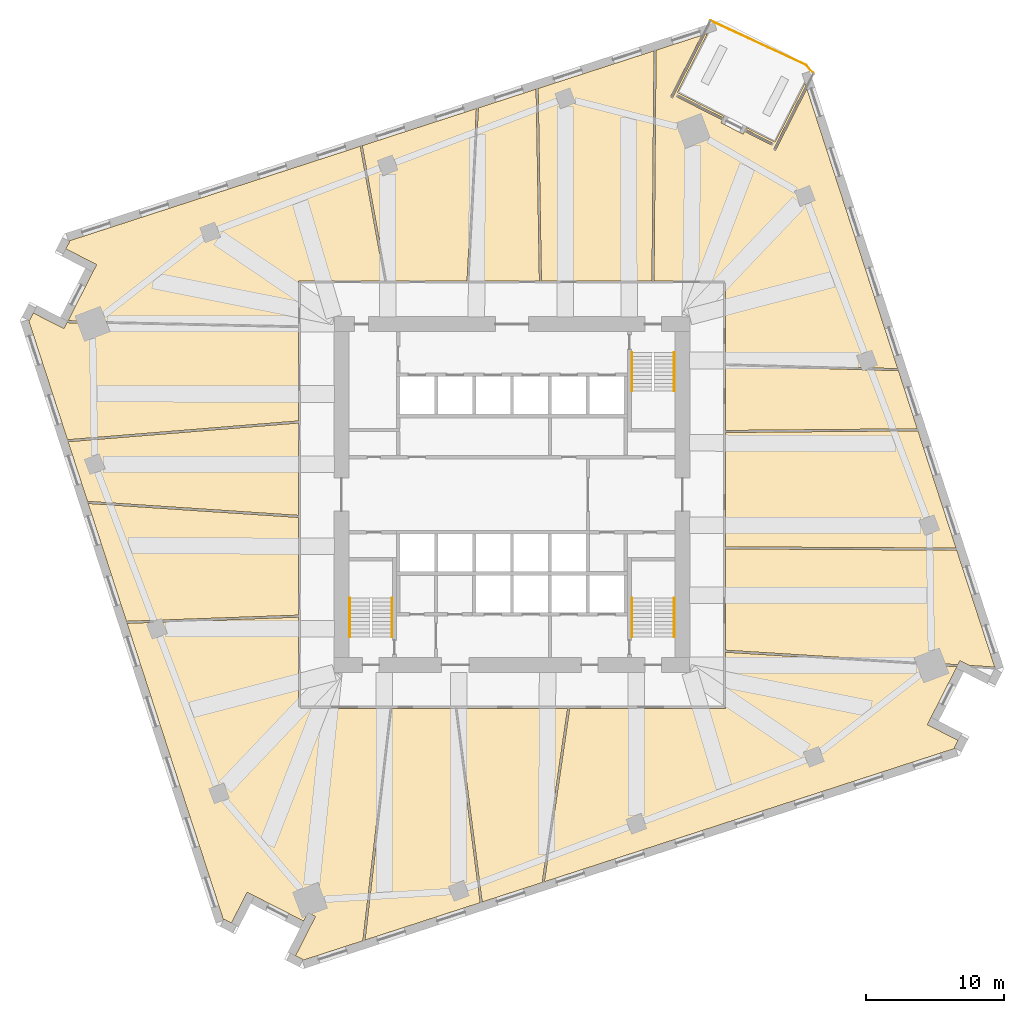
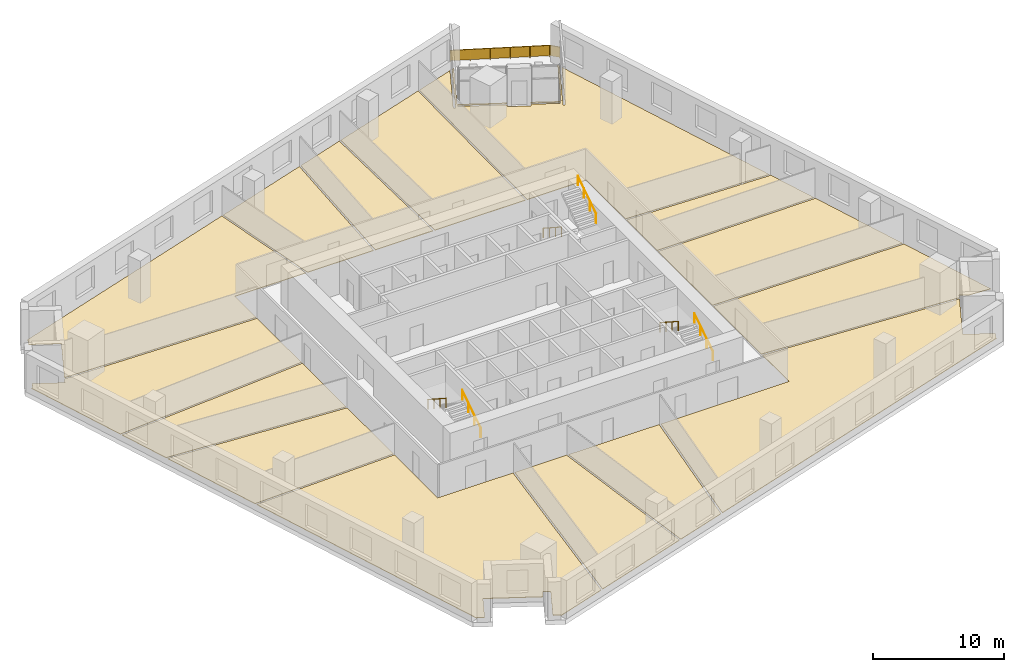
# One storey, part 11 of 12: 15 coverings, 7 railings.
"""IFC4 building model written with IfcOpenShell, lengths in metres."""

from ifc_helpers import new_model, si_unit, direction, frame, origin, origin_2d, place, context, subcontext, project, spatial, polyline, rectangle, circle, outline, extrude, material, layer, layer_set, type_object, element, save


model = new_model("IFC4")

# Units and contexts
model_context = context("Model", 3, precision=1e-05, world=origin(), true_north=direction((0.0, 1.0)))
body_context = subcontext(model_context, "Body", "Model", "MODEL_VIEW")
ifc_project = project(units=[si_unit("LENGTHUNIT", "METRE"), si_unit("AREAUNIT", "SQUARE_METRE"), si_unit("VOLUMEUNIT", "CUBIC_METRE"), si_unit("PLANEANGLEUNIT", "RADIAN"), si_unit("MASSUNIT", "GRAM", prefix="KILO")], contexts=[model_context])

# Site, building, storey
site_placement = place(None, origin())
site = spatial("IfcSite", under=ifc_project, at=site_placement, CompositionType="ELEMENT")
building_placement = place(site_placement, origin())
building = spatial("IfcBuilding", under=site, at=building_placement, Name="Dilmun Exchange Tower", CompositionType="ELEMENT")
storey_placement = place(building_placement, frame((0.0, 0.0, 90.10009765625)))
storey = spatial("IfcBuildingStorey", under=building, at=storey_placement, Name="L20", CompositionType="ELEMENT", Elevation=90.10009765625)

# Coverings
ifc_material_1 = material(Name="Carpet floor finish 50")
ifc_layer_1 = layer(ifc_material_1, 0.050048828125)
ifc_layer_set_1 = layer_set([ifc_layer_1], Name="Carpet floor finish 50")
covering_type_1 = type_object("IfcCoveringType", Name="Carpet floor finish 50", PredefinedType="FLOORING", material=ifc_layer_set_1)
covering_1_placement = place(storey_placement, origin())
element("IfcCovering", 1, at=covering_1_placement, inside=storey, type_object=covering_type_1, Name="Carpet floor finish 50 Open office 1", PredefinedType="FLOORING", context=body_context, shape_type="SweptSolid", body=[
    extrude(outline(polyline([(-15.47509765625, 12.090087890625), (-15.47509765625, 5.339599609375), (-32.203125, 3.977294921875), (-35.021484375, 12.650634765625), (-34.958251953125, 12.618408203125), (-34.9580078125, 12.618408203125), (-34.957763671875, 12.618408203125), (-34.95751953125, 12.618408203125), (-34.95751953125, 12.618408203125), (-34.957275390625, 12.618408203125), (-34.95703125, 12.618408203125), (-34.956787109375, 12.618408203125), (-34.956787109375, 12.618408203125), (-34.95654296875, 12.618408203125), (-34.956298828125, 12.61865234375), (-34.956298828125, 12.61865234375), (-34.9560546875, 12.618896484375), (-34.955810546875, 12.618896484375), (-34.955810546875, 12.619140625), (-34.95556640625, 12.619140625), (-34.95556640625, 12.619384765625), (-34.678955078125, 13.162353515625), (-32.453125, 12.0283203125), (-32.452880859375, 12.028076171875), (-32.45263671875, 12.028076171875), (-32.452392578125, 12.028076171875), (-32.452392578125, 12.028076171875), (-32.4521484375, 12.028076171875), (-32.451904296875, 12.028076171875), (-32.451904296875, 12.028076171875), (-32.45166015625, 12.028076171875), (-32.451416015625, 12.0283203125), (-32.451171875, 12.0283203125), (-32.451171875, 12.0283203125), (-32.450927734375, 12.028564453125), (-32.45068359375, 12.028564453125), (-32.45068359375, 12.02880859375), (-32.450439453125, 12.02880859375), (-32.450439453125, 12.029052734375), (-32.233642578125, 12.45458984375), (-15.47509765625, 12.090087890625)])), origin(), (0.0, 0.0, 1.0), 0.0498046875),
])
covering_2_placement = place(storey_placement, origin())
element("IfcCovering", 2, at=covering_2_placement, inside=storey, type_object=covering_type_1, Name="Carpet floor finish 50 Meeting room 1", PredefinedType="FLOORING", context=body_context, shape_type="SweptSolid", body=[
    extrude(outline(polyline([(-15.47509765625, -1.5), (-30.752685546875, -0.486572265625), (-32.155517578125, 3.83056640625), (-15.47509765625, 5.18896484375), (-15.47509765625, -1.5)])), origin(), (0.0, 0.0, 1.0), 0.0498046875),
])
covering_3_placement = place(storey_placement, origin())
element("IfcCovering", 3, at=covering_3_placement, inside=storey, type_object=covering_type_1, Name="Carpet floor finish 50 Advisory office", PredefinedType="FLOORING", context=body_context, shape_type="SweptSolid", body=[
    extrude(outline(polyline([(-15.47509765625, -8.725830078125), (-27.93017578125, -9.174072265625), (-30.702880859375, -0.64013671875), (-15.47509765625, -1.650390625), (-15.47509765625, -8.725830078125)])), origin(), (0.0, 0.0, 1.0), 0.0498046875),
])
covering_4_placement = place(storey_placement, origin())
element("IfcCovering", 4, at=covering_4_placement, inside=storey, type_object=covering_type_1, Name="Carpet floor finish 50 Open office 2", PredefinedType="FLOORING", context=body_context, shape_type="SweptSolid", body=[
    extrude(outline(polyline([(-9.2275390625, 15.47509765625), (-15.47509765625, 15.47509765625), (-15.47509765625, 12.239990234375), (-32.157958984375, 12.60302734375), (-30.362060546875, 16.127685546875), (-30.362060546875, 16.127685546875), (-30.089599609375, 16.662353515625), (-30.089599609375, 16.66259765625), (-30.089599609375, 16.66259765625), (-30.089599609375, 16.662841796875), (-30.089599609375, 16.6630859375), (-30.089599609375, 16.6630859375), (-30.089599609375, 16.663330078125), (-30.089599609375, 16.66357421875), (-30.089599609375, 16.663818359375), (-30.089599609375, 16.6640625), (-30.08984375, 16.664306640625), (-30.08984375, 16.664306640625), (-30.090087890625, 16.66455078125), (-30.090087890625, 16.66455078125), (-30.09033203125, 16.664794921875), (-30.09033203125, 16.664794921875), (-30.090576171875, 16.6650390625), (-32.31640625, 17.799072265625), (-32.039794921875, 18.341796875), (-32.03955078125, 18.342041015625), (-32.03955078125, 18.34228515625), (-32.03955078125, 18.34228515625), (-32.03955078125, 18.342529296875), (-32.03955078125, 18.3427734375), (-32.03955078125, 18.343017578125), (-32.03955078125, 18.34326171875), (-32.03955078125, 18.343505859375), (-32.039794921875, 18.343505859375), (-32.039794921875, 18.34375), (-32.039794921875, 18.343994140625), (-32.0400390625, 18.343994140625), (-32.0400390625, 18.34423828125), (-32.040283203125, 18.344482421875), (-32.040283203125, 18.344482421875), (-32.04052734375, 18.344482421875), (-32.103759765625, 18.376708984375), (-10.9951171875, 25.2353515625), (-9.2275390625, 15.47509765625)])), origin(), (0.0, 0.0, 1.0), 0.0498046875),
])
covering_5_placement = place(storey_placement, origin())
element("IfcCovering", 5, at=covering_5_placement, inside=storey, type_object=covering_type_1, Name="Carpet floor finish 50 Open office 3", PredefinedType="FLOORING", context=body_context, shape_type="SweptSolid", body=[
    extrude(outline(polyline([(-15.47509765625, -8.8759765625), (-15.47509765625, -15.47509765625), (-8.845703125, -15.47509765625), (-10.8037109375, -32.318115234375), (-15.1708984375, -33.7373046875), (-15.138671875, -33.674072265625), (-15.138671875, -33.673828125), (-15.138671875, -33.673583984375), (-15.138427734375, -33.673583984375), (-15.138427734375, -33.67333984375), (-15.138427734375, -33.673095703125), (-15.138427734375, -33.673095703125), (-15.138427734375, -33.6728515625), (-15.138671875, -33.672607421875), (-15.138671875, -33.67236328125), (-15.138916015625, -33.672119140625), (-15.138916015625, -33.672119140625), (-15.138916015625, -33.671875), (-15.13916015625, -33.671875), (-15.139404296875, -33.671630859375), (-15.139404296875, -33.67138671875), (-15.1396484375, -33.67138671875), (-15.682373046875, -33.394775390625), (-14.237060546875, -30.55810546875), (-14.23681640625, -30.557861328125), (-14.23681640625, -30.5576171875), (-14.23681640625, -30.5576171875), (-14.23681640625, -30.557373046875), (-14.23681640625, -30.55712890625), (-14.23681640625, -30.556884765625), (-14.23681640625, -30.556884765625), (-14.23681640625, -30.556640625), (-14.237060546875, -30.556396484375), (-14.237060546875, -30.55615234375), (-14.2373046875, -30.55615234375), (-14.2373046875, -30.555908203125), (-14.2373046875, -30.555908203125), (-14.237548828125, -30.5556640625), (-14.23779296875, -30.555419921875), (-14.23779296875, -30.555419921875), (-14.7724609375, -30.282958984375), (-14.772705078125, -30.282958984375), (-14.77294921875, -30.282958984375), (-14.77294921875, -30.28271484375), (-14.773193359375, -30.28271484375), (-14.7734375, -30.28271484375), (-14.773681640625, -30.28271484375), (-14.773681640625, -30.28271484375), (-14.77392578125, -30.282958984375), (-14.774169921875, -30.282958984375), (-14.7744140625, -30.283203125), (-14.7744140625, -30.283203125), (-14.774658203125, -30.283203125), (-14.77490234375, -30.283447265625), (-14.77490234375, -30.28369140625), (-14.775146484375, -30.28369140625), (-14.775146484375, -30.283935546875), (-15.085693359375, -30.89306640625), (-18.64794921875, -29.077880859375), (-19.1826171875, -28.8056640625), (-19.1826171875, -28.805419921875), (-19.182861328125, -28.805419921875), (-19.18310546875, -28.805419921875), (-19.18310546875, -28.805419921875), (-19.183349609375, -28.805419921875), (-19.18359375, -28.805419921875), (-19.183837890625, -28.805419921875), (-19.18408203125, -28.805419921875), (-19.18408203125, -28.8056640625), (-19.184326171875, -28.8056640625), (-19.1845703125, -28.805908203125), (-19.184814453125, -28.805908203125), (-19.184814453125, -28.805908203125), (-19.18505859375, -28.80615234375), (-19.18505859375, -28.806396484375), (-19.185302734375, -28.806396484375), (-20.319091796875, -31.0322265625), (-20.862060546875, -30.755615234375), (-20.8623046875, -30.755615234375), (-20.862548828125, -30.755615234375), (-20.86279296875, -30.75537109375), (-20.86279296875, -30.75537109375), (-20.863037109375, -30.75537109375), (-20.86328125, -30.75537109375), (-20.86328125, -30.75537109375), (-20.863525390625, -30.755615234375), (-20.86376953125, -30.755615234375), (-20.864013671875, -30.755615234375), (-20.8642578125, -30.755859375), (-20.8642578125, -30.755859375), (-20.864501953125, -30.756103515625), (-20.864501953125, -30.756103515625), (-20.86474609375, -30.75634765625), (-20.86474609375, -30.756591796875), (-20.89697265625, -30.819580078125), (-27.8818359375, -9.322509765625), (-15.47509765625, -8.8759765625)])), origin(), (0.0, 0.0, 1.0), 0.0498046875),
])
covering_6_placement = place(storey_placement, origin())
element("IfcCovering", 6, at=covering_6_placement, inside=storey, type_object=covering_type_1, Name="Carpet floor finish 50 Break-out lounge 1", PredefinedType="FLOORING", context=body_context, shape_type="SweptSolid", body=[
    extrude(outline(polyline([(-4.12060546875, -15.47509765625), (-2.30517578125, -29.556884765625), (-10.646484375, -32.267333984375), (-8.694580078125, -15.47509765625), (-4.12060546875, -15.47509765625)])), origin(), (0.0, 0.0, 1.0), 0.0498046875),
])
covering_7_placement = place(storey_placement, origin())
element("IfcCovering", 7, at=covering_7_placement, inside=storey, type_object=covering_type_1, Name="Carpet floor finish 50 Meeting room 2", PredefinedType="FLOORING", context=body_context, shape_type="SweptSolid", body=[
    extrude(outline(polyline([(2.1845703125, -28.09814453125), (-2.159912109375, -29.509765625), (-3.96923828125, -15.47509765625), (4.029052734375, -15.47509765625), (2.1845703125, -28.09814453125)])), origin(), (0.0, 0.0, 1.0), 0.0498046875),
])
covering_8_placement = place(storey_placement, origin())
element("IfcCovering", 8, at=covering_8_placement, inside=storey, type_object=covering_type_1, Name="Carpet floor finish 50 Break-out lounge 2", PredefinedType="FLOORING", context=body_context, shape_type="SweptSolid", body=[
    extrude(outline(polyline([(2.13330078125, 15.47509765625), (1.894287109375, 29.423583984375), (10.287841796875, 32.150634765625), (10.13818359375, 15.47509765625), (2.13330078125, 15.47509765625)])), origin(), (0.0, 0.0, 1.0), 0.0498046875),
])
covering_9_placement = place(storey_placement, origin())
element("IfcCovering", 9, at=covering_9_placement, inside=storey, type_object=covering_type_1, Name="Carpet floor finish 50 Open office 4", PredefinedType="FLOORING", context=body_context, shape_type="SweptSolid", body=[
    extrude(outline(polyline([(4.1806640625, -15.47509765625), (15.47509765625, -15.47509765625), (15.47509765625, -11.414794921875), (32.22802734375, -12.46533203125), (32.177978515625, -12.563720703125), (32.177978515625, -12.56396484375), (32.177978515625, -12.564208984375), (32.177734375, -12.564208984375), (30.362060546875, -16.127685546875), (30.362060546875, -16.127685546875), (30.089599609375, -16.662353515625), (30.089599609375, -16.66259765625), (30.089599609375, -16.66259765625), (30.089599609375, -16.662841796875), (30.089599609375, -16.6630859375), (30.089599609375, -16.6630859375), (30.089599609375, -16.663330078125), (30.089599609375, -16.66357421875), (30.089599609375, -16.663818359375), (30.089599609375, -16.6640625), (30.08984375, -16.664306640625), (30.08984375, -16.664306640625), (30.090087890625, -16.66455078125), (30.090087890625, -16.66455078125), (30.09033203125, -16.664794921875), (30.09033203125, -16.664794921875), (30.090576171875, -16.6650390625), (32.31640625, -17.799072265625), (32.039794921875, -18.341796875), (32.03955078125, -18.342041015625), (32.03955078125, -18.34228515625), (32.03955078125, -18.34228515625), (32.03955078125, -18.342529296875), (32.03955078125, -18.3427734375), (32.03955078125, -18.343017578125), (32.03955078125, -18.34326171875), (32.03955078125, -18.343505859375), (32.039794921875, -18.343505859375), (32.039794921875, -18.34375), (32.039794921875, -18.343994140625), (32.0400390625, -18.343994140625), (32.0400390625, -18.34423828125), (32.040283203125, -18.344482421875), (32.040283203125, -18.344482421875), (32.04052734375, -18.344482421875), (32.103759765625, -18.376708984375), (2.34375, -28.04638671875), (4.1806640625, -15.47509765625)])), origin(), (0.0, 0.0, 1.0), 0.0498046875),
])
covering_10_placement = place(storey_placement, origin())
element("IfcCovering", 10, at=covering_10_placement, inside=storey, type_object=covering_type_1, Name="Carpet floor finish 50 Garden lounge", PredefinedType="FLOORING", context=body_context, shape_type="SweptSolid", body=[
    extrude(outline(polyline([(21.22509765625, 29.809814453125), (21.28759765625, 29.617431640625), (18.937255859375, 25.004638671875), (18.937255859375, 25.00439453125), (18.93701171875, 25.00439453125), (18.93701171875, 25.004150390625), (18.93701171875, 25.00390625), (18.93701171875, 25.00390625), (18.93701171875, 25.003662109375), (18.93701171875, 25.00341796875), (18.93701171875, 25.003173828125), (18.937255859375, 25.0029296875), (18.937255859375, 25.002685546875), (18.9375, 25.002685546875), (18.9375, 25.00244140625), (18.9375, 25.00244140625), (18.937744140625, 25.002197265625), (18.93798828125, 25.002197265625), (18.93798828125, 25.001953125), (19.080810546875, 24.929443359375), (19.080810546875, 24.92919921875), (19.0810546875, 24.92919921875), (19.081298828125, 24.92919921875), (19.081298828125, 24.92919921875), (19.08154296875, 24.92919921875), (19.081787109375, 24.92919921875), (19.08203125, 24.92919921875), (19.082275390625, 24.92919921875), (19.08251953125, 24.92919921875), (19.08251953125, 24.929443359375), (19.082763671875, 24.929443359375), (19.0830078125, 24.9296875), (19.0830078125, 24.9296875), (19.083251953125, 24.929931640625), (19.083251953125, 24.93017578125), (19.08349609375, 24.930419921875), (21.359130859375, 29.39697265625), (27.9453125, 9.126708984375), (15.47509765625, 9.4873046875), (15.47509765625, 15.47509765625), (10.2880859375, 15.47509765625), (10.438232421875, 32.19970703125), (13.748046875, 33.27490234375), (11.47216796875, 28.808349609375), (11.47216796875, 28.80810546875), (11.47216796875, 28.80810546875), (11.47216796875, 28.807861328125), (11.471923828125, 28.8076171875), (11.471923828125, 28.807373046875), (11.471923828125, 28.80712890625), (11.47216796875, 28.806884765625), (11.47216796875, 28.806884765625), (11.47216796875, 28.806640625), (11.472412109375, 28.806396484375), (11.472412109375, 28.806396484375), (11.472412109375, 28.80615234375), (11.47265625, 28.805908203125), (11.472900390625, 28.805908203125), (11.472900390625, 28.8056640625), (11.47314453125, 28.8056640625), (11.61572265625, 28.73291015625), (11.615966796875, 28.73291015625), (11.615966796875, 28.73291015625), (11.6162109375, 28.73291015625), (11.616455078125, 28.73291015625), (11.61669921875, 28.73291015625), (11.61669921875, 28.73291015625), (11.616943359375, 28.73291015625), (11.6171875, 28.73291015625), (11.617431640625, 28.73291015625), (11.61767578125, 28.73291015625), (11.61767578125, 28.733154296875), (11.617919921875, 28.7333984375), (11.617919921875, 28.7333984375), (11.6181640625, 28.7333984375), (11.618408203125, 28.733642578125), (11.618408203125, 28.73388671875), (13.96875, 33.3466796875), (14.160888671875, 33.4091796875), (11.984130859375, 29.13671875), (15.380615234375, 27.406005859375), (15.315673828125, 27.27880859375), (11.986083984375, 28.975341796875), (11.98583984375, 28.975341796875), (11.985595703125, 28.975341796875), (11.985595703125, 28.975341796875), (11.9853515625, 28.9755859375), (11.985107421875, 28.9755859375), (11.98486328125, 28.9755859375), (11.984619140625, 28.975341796875), (11.984619140625, 28.975341796875), (11.984375, 28.975341796875), (11.984130859375, 28.97509765625), (11.98388671875, 28.97509765625), (11.98388671875, 28.97509765625), (11.983642578125, 28.974853515625), (11.9833984375, 28.974609375), (11.9833984375, 28.974609375), (11.9833984375, 28.974365234375), (11.91064453125, 28.831787109375), (11.91064453125, 28.83154296875), (11.91064453125, 28.83154296875), (11.910400390625, 28.831298828125), (11.910400390625, 28.8310546875), (11.910400390625, 28.830810546875), (11.910400390625, 28.830810546875), (11.910400390625, 28.83056640625), (11.91064453125, 28.830322265625), (11.91064453125, 28.830078125), (11.91064453125, 28.829833984375), (11.910888671875, 28.829833984375), (11.910888671875, 28.82958984375), (11.9111328125, 28.82958984375), (11.9111328125, 28.829345703125), (11.911376953125, 28.8291015625), (11.91162109375, 28.8291015625), (15.2412109375, 27.132568359375), (15.142333984375, 26.938232421875), (15.14208984375, 26.93798828125), (15.14208984375, 26.93798828125), (15.14208984375, 26.937744140625), (15.14208984375, 26.9375), (15.14208984375, 26.9375), (15.14208984375, 26.937255859375), (15.14208984375, 26.93701171875), (15.14208984375, 26.936767578125), (15.142333984375, 26.9365234375), (15.142333984375, 26.936279296875), (15.142578125, 26.936279296875), (15.142578125, 26.93603515625), (15.142578125, 26.93603515625), (15.142822265625, 26.935791015625), (15.14306640625, 26.935791015625), (15.143310546875, 26.935546875), (16.7470703125, 26.118408203125), (16.747314453125, 26.118408203125), (16.747314453125, 26.118408203125), (16.74755859375, 26.1181640625), (16.747802734375, 26.1181640625), (16.747802734375, 26.1181640625), (16.748046875, 26.1181640625), (16.748291015625, 26.1181640625), (16.74853515625, 26.118408203125), (16.748779296875, 26.118408203125), (16.748779296875, 26.118408203125), (16.7490234375, 26.11865234375), (16.749267578125, 26.11865234375), (16.749267578125, 26.118896484375), (16.74951171875, 26.118896484375), (16.74951171875, 26.119140625), (16.749755859375, 26.119384765625), (16.8486328125, 26.3134765625), (18.842041015625, 25.2978515625), (18.84228515625, 25.2978515625), (18.84228515625, 25.2978515625), (18.842529296875, 25.297607421875), (18.8427734375, 25.297607421875), (18.843017578125, 25.297607421875), (18.843017578125, 25.297607421875), (18.84326171875, 25.2978515625), (18.843505859375, 25.2978515625), (18.84375, 25.2978515625), (18.843994140625, 25.298095703125), (18.843994140625, 25.298095703125), (18.84423828125, 25.298095703125), (18.84423828125, 25.29833984375), (18.844482421875, 25.298583984375), (18.844482421875, 25.298583984375), (18.8447265625, 25.298828125), (18.917236328125, 25.44140625), (18.91748046875, 25.441650390625), (18.91748046875, 25.441650390625), (18.91748046875, 25.44189453125), (18.91748046875, 25.442138671875), (18.91748046875, 25.4423828125), (18.91748046875, 25.4423828125), (18.91748046875, 25.442626953125), (18.91748046875, 25.44287109375), (18.91748046875, 25.443115234375), (18.917236328125, 25.443359375), (18.917236328125, 25.443359375), (18.9169921875, 25.443603515625), (18.9169921875, 25.443603515625), (18.916748046875, 25.44384765625), (18.91650390625, 25.444091796875), (18.91650390625, 25.444091796875), (16.923095703125, 26.459716796875), (16.988037109375, 26.587158203125), (19.048095703125, 25.537353515625), (21.22509765625, 29.809814453125)])), origin(), (0.0, 0.0, 1.0), 0.0498046875),
])
covering_11_placement = place(storey_placement, origin())
element("IfcCovering", 11, at=covering_11_placement, inside=storey, type_object=covering_type_1, Name="Carpet floor finish 50 Analyst office 1", PredefinedType="FLOORING", context=body_context, shape_type="SweptSolid", body=[
    extrude(outline(polyline([(15.47509765625, 4.5), (29.408203125, 4.625), (32.168701171875, -3.87060546875), (15.47509765625, -3.780517578125), (15.47509765625, 4.5)])), origin(), (0.0, 0.0, 1.0), 0.0498046875),
])
covering_12_placement = place(storey_placement, origin())
element("IfcCovering", 12, at=covering_12_placement, inside=storey, type_object=covering_type_1, Name="Carpet floor finish 50 Analyst office 2", PredefinedType="FLOORING", context=body_context, shape_type="SweptSolid", body=[
    extrude(outline(polyline([(15.47509765625, -3.930419921875), (32.21728515625, -4.02099609375), (34.968017578125, -12.486572265625), (33.1259765625, -12.37109375), (32.453125, -12.0283203125), (32.452880859375, -12.028076171875), (32.45263671875, -12.028076171875), (32.452392578125, -12.028076171875), (32.452392578125, -12.028076171875), (32.4521484375, -12.028076171875), (32.451904296875, -12.028076171875), (32.451904296875, -12.028076171875), (32.45166015625, -12.028076171875), (32.451416015625, -12.0283203125), (32.451171875, -12.0283203125), (32.451171875, -12.0283203125), (32.450927734375, -12.028564453125), (32.45068359375, -12.028564453125), (32.45068359375, -12.02880859375), (32.450439453125, -12.02880859375), (32.450439453125, -12.029052734375), (32.302490234375, -12.319580078125), (15.47509765625, -11.264404296875), (15.47509765625, -3.930419921875)])), origin(), (0.0, 0.0, 1.0), 0.0498046875),
])

# Railings
ifc_material_2 = material(Name="Stainless steel", Category="steel")
railing_type_1 = type_object("IfcRailingType", Name="Stair handrail 900", PredefinedType="HANDRAIL", material=ifc_material_2)
railing_1_placement = place(storey_placement, frame((8.699951171875, 10.300048828125, 0.181640625)))
element("IfcRailing", 13, at=railing_1_placement, inside=storey, type_object=railing_type_1, Name="L20 ST1 stair handrail 1", PredefinedType="HANDRAIL", context=body_context, shape_type="SweptSolid", body=[
    extrude(circle(Radius=0.02392578125, at=origin_2d()), frame((0.0, 0.0, 0.8759765625), z_axis=(0.0, -0.838672427954, 0.544636170843), x_axis=(1.0, 0.0, 0.0)), (0.0, 0.0, 1.0), 3.338623046875),
    extrude(circle(Radius=0.02099609375, at=origin_2d()), origin(), (0.0, 0.0, 1.0), 0.851806640625),
    extrude(circle(Radius=0.02099609375, at=origin_2d()), frame((0.0, -0.933349609375, 0.606201171875)), (0.0, 0.0, 1.0), 0.851806640625),
    extrude(circle(Radius=0.02099609375, at=origin_2d()), frame((0.0, -1.86669921875, 1.212158203125)), (0.0, 0.0, 1.0), 0.851806640625),
    extrude(circle(Radius=0.02099609375, at=origin_2d()), frame((0.0, -2.800048828125, 1.818359375)), (0.0, 0.0, 1.0), 0.851806640625),
])
for number, where, name in (
    (14, (11.75, 7.5, 2.181640625), "L20 ST1 stair handrail 2"),
    (15, (-8.699951171875, -10.300048828125, 0.181640625), "L20 ST2 stair handrail 1"),
):
    element("IfcRailing", number, at=place(storey_placement, frame(where)), inside=storey, type_object=railing_type_1, Name=name, PredefinedType="HANDRAIL", context=body_context, shape_type="SweptSolid", body=[
        extrude(circle(Radius=0.02392578125, at=origin_2d()), frame((0.0, 0.0, 0.8759765625), z_axis=(0.0, 0.838672427954, 0.544636170843), x_axis=(-1.0, 0.0, 0.0)), (0.0, 0.0, 1.0), 3.338623046875),
        extrude(circle(Radius=0.02099609375, at=origin_2d()), origin(), (0.0, 0.0, 1.0), 0.851806640625),
        extrude(circle(Radius=0.02099609375, at=origin_2d()), frame((0.0, 0.933349609375, 0.606201171875)), (0.0, 0.0, 1.0), 0.851806640625),
        extrude(circle(Radius=0.02099609375, at=origin_2d()), frame((0.0, 1.86669921875, 1.212158203125)), (0.0, 0.0, 1.0), 0.851806640625),
        extrude(circle(Radius=0.02099609375, at=origin_2d()), frame((0.0, 2.800048828125, 1.818359375)), (0.0, 0.0, 1.0), 0.851806640625),
    ])
railing_2_placement = place(storey_placement, frame((-11.75, -7.5, 2.181640625)))
element("IfcRailing", 16, at=railing_2_placement, inside=storey, type_object=railing_type_1, Name="L20 ST2 stair handrail 2", PredefinedType="HANDRAIL", context=body_context, shape_type="SweptSolid", body=[
    extrude(circle(Radius=0.02392578125, at=origin_2d()), frame((0.0, 0.0, 0.8759765625), z_axis=(0.0, -0.838672427954, 0.544636170843), x_axis=(1.0, 0.0, 0.0)), (0.0, 0.0, 1.0), 3.338623046875),
    extrude(circle(Radius=0.02099609375, at=origin_2d()), origin(), (0.0, 0.0, 1.0), 0.851806640625),
    extrude(circle(Radius=0.02099609375, at=origin_2d()), frame((0.0, -0.933349609375, 0.606201171875)), (0.0, 0.0, 1.0), 0.851806640625),
    extrude(circle(Radius=0.02099609375, at=origin_2d()), frame((0.0, -1.86669921875, 1.212158203125)), (0.0, 0.0, 1.0), 0.851806640625),
    extrude(circle(Radius=0.02099609375, at=origin_2d()), frame((0.0, -2.800048828125, 1.818359375)), (0.0, 0.0, 1.0), 0.851806640625),
])
railing_3_placement = place(storey_placement, frame((11.75, -10.300048828125, 0.181640625)))
element("IfcRailing", 17, at=railing_3_placement, inside=storey, type_object=railing_type_1, Name="L20 ST3 stair handrail 1", PredefinedType="HANDRAIL", context=body_context, shape_type="SweptSolid", body=[
    extrude(circle(Radius=0.02392578125, at=origin_2d()), frame((0.0, 0.0, 0.8759765625), z_axis=(0.0, 0.838672427954, 0.544636170843), x_axis=(-1.0, 0.0, 0.0)), (0.0, 0.0, 1.0), 3.338623046875),
    extrude(circle(Radius=0.02099609375, at=origin_2d()), origin(), (0.0, 0.0, 1.0), 0.851806640625),
    extrude(circle(Radius=0.02099609375, at=origin_2d()), frame((0.0, 0.933349609375, 0.606201171875)), (0.0, 0.0, 1.0), 0.851806640625),
    extrude(circle(Radius=0.02099609375, at=origin_2d()), frame((0.0, 1.86669921875, 1.212158203125)), (0.0, 0.0, 1.0), 0.851806640625),
    extrude(circle(Radius=0.02099609375, at=origin_2d()), frame((0.0, 2.800048828125, 1.818359375)), (0.0, 0.0, 1.0), 0.851806640625),
])
railing_4_placement = place(storey_placement, frame((8.699951171875, -7.5, 2.181640625)))
element("IfcRailing", 18, at=railing_4_placement, inside=storey, type_object=railing_type_1, Name="L20 ST3 stair handrail 2", PredefinedType="HANDRAIL", context=body_context, shape_type="SweptSolid", body=[
    extrude(circle(Radius=0.02392578125, at=origin_2d()), frame((0.0, 0.0, 0.8759765625), z_axis=(0.0, -0.838672427954, 0.544636170843), x_axis=(1.0, 0.0, 0.0)), (0.0, 0.0, 1.0), 3.338623046875),
    extrude(circle(Radius=0.02099609375, at=origin_2d()), origin(), (0.0, 0.0, 1.0), 0.851806640625),
    extrude(circle(Radius=0.02099609375, at=origin_2d()), frame((0.0, -0.933349609375, 0.606201171875)), (0.0, 0.0, 1.0), 0.851806640625),
    extrude(circle(Radius=0.02099609375, at=origin_2d()), frame((0.0, -1.86669921875, 1.212158203125)), (0.0, 0.0, 1.0), 0.851806640625),
    extrude(circle(Radius=0.02099609375, at=origin_2d()), frame((0.0, -2.800048828125, 1.818359375)), (0.0, 0.0, 1.0), 0.851806640625),
])

# Coverings
ifc_material_3 = material(Name="Stone floor finish 50", Category="masonry")
ifc_layer_2 = layer(ifc_material_3, 0.050048828125)
ifc_layer_set_2 = layer_set([ifc_layer_2], Name="Stone floor finish 50")
covering_type_2 = type_object("IfcCoveringType", Name="Stone floor finish 50", PredefinedType="FLOORING", material=ifc_layer_set_2)
covering_13_placement = place(storey_placement, origin())
element("IfcCovering", 19, at=covering_13_placement, inside=storey, type_object=covering_type_2, Name="Stone floor finish 50 Reception 1", PredefinedType="FLOORING", context=body_context, shape_type="SweptSolid", body=[
    extrude(outline(polyline([(-10.851318359375, 25.2822265625), (-2.581787109375, 27.968994140625), (-3.2607421875, 15.47509765625), (-9.074951171875, 15.47509765625), (-10.851318359375, 25.2822265625)])), origin(), (0.0, 0.0, 1.0), 0.0498046875),
])
covering_14_placement = place(storey_placement, origin())
element("IfcCovering", 20, at=covering_14_placement, inside=storey, type_object=covering_type_2, Name="Stone floor finish 50 Reception 2", PredefinedType="FLOORING", context=body_context, shape_type="SweptSolid", body=[
    extrude(outline(polyline([(-3.110595703125, 15.47509765625), (-2.4287109375, 28.018798828125), (1.7451171875, 29.375), (1.9833984375, 15.47509765625), (-3.110595703125, 15.47509765625)])), origin(), (0.0, 0.0, 1.0), 0.0498046875),
])
covering_15_placement = place(storey_placement, origin())
element("IfcCovering", 21, at=covering_15_placement, inside=storey, type_object=covering_type_2, Name="Stone floor finish 50 Reception 3", PredefinedType="FLOORING", context=body_context, shape_type="SweptSolid", body=[
    extrude(outline(polyline([(15.47509765625, 9.337158203125), (27.99462890625, 8.975341796875), (29.359619140625, 4.774658203125), (15.47509765625, 4.64990234375), (15.47509765625, 9.337158203125)])), origin(), (0.0, 0.0, 1.0), 0.0498046875),
])

# Railing
railing_type_2 = type_object("IfcRailingType", Name="Terrace guard 1100 stainless steel", PredefinedType="GUARDRAIL", material=ifc_material_2)
railing_5_placement = place(storey_placement, frame((14.381103515625, 34.336669921875, 0.0)))
element("IfcRailing", 22, at=railing_5_placement, inside=storey, type_object=railing_type_2, Name="Terrace guard 1", PredefinedType="GUARDRAIL", context=body_context, shape_type="SweptSolid", body=[
    extrude(circle(Radius=0.02392578125, at=origin_2d()), frame((0.0, 0.0, 1.076171875), z_axis=(0.906816593314, -0.42152540385, 0.0), x_axis=(0.42152540385, 0.906816593314, 0.0)), (0.0, 0.0, 1.0), 7.63818359375),
    extrude(rectangle(XDim=0.011962890625, YDim=0.951904296875, at=origin_2d()), frame((0.0, 0.0, 0.576171875), z_axis=(0.906816593314, -0.42152540385, 0.0), x_axis=(0.42152540385, 0.906816593314, 0.0)), (0.0, 0.0, 1.0), 7.63818359375),
    extrude(circle(Radius=0.02392578125, at=origin_2d()), frame((6.926513671875, -3.2197265625, 1.076171875), z_axis=(0.678101344974, -0.734968411529, 0.0), x_axis=(0.734968411529, 0.678101344974, 0.0)), (0.0, 0.0, 1.0), 0.794189453125),
    extrude(rectangle(XDim=0.011962890625, YDim=0.951904296875, at=origin_2d()), frame((6.926513671875, -3.2197265625, 0.576171875), z_axis=(0.678101344974, -0.734968411529, 0.0), x_axis=(0.734968411529, 0.678101344974, 0.0)), (0.0, 0.0, 1.0), 0.794189453125),
    extrude(circle(Radius=0.02099609375, at=origin_2d()), origin(), (0.0, 0.0, 1.0), 1.052001953125),
    extrude(circle(Radius=0.02099609375, at=origin_2d()), frame((1.38525390625, -0.64404296875, 0.0)), (0.0, 0.0, 1.0), 1.052001953125),
    extrude(circle(Radius=0.02099609375, at=origin_2d()), frame((2.7705078125, -1.287841796875, 0.0)), (0.0, 0.0, 1.0), 1.052001953125),
    extrude(circle(Radius=0.02099609375, at=origin_2d()), frame((4.156005859375, -1.931884765625, 0.0)), (0.0, 0.0, 1.0), 1.052001953125),
    extrude(circle(Radius=0.02099609375, at=origin_2d()), frame((5.541259765625, -2.57568359375, 0.0)), (0.0, 0.0, 1.0), 1.052001953125),
    extrude(circle(Radius=0.02099609375, at=origin_2d()), frame((6.926513671875, -3.2197265625, 0.0)), (0.0, 0.0, 1.0), 1.052001953125),
    extrude(circle(Radius=0.02099609375, at=origin_2d()), frame((7.465087890625, -3.803466796875, 0.0)), (0.0, 0.0, 1.0), 1.052001953125),
])

save(model, "model.ifc")
